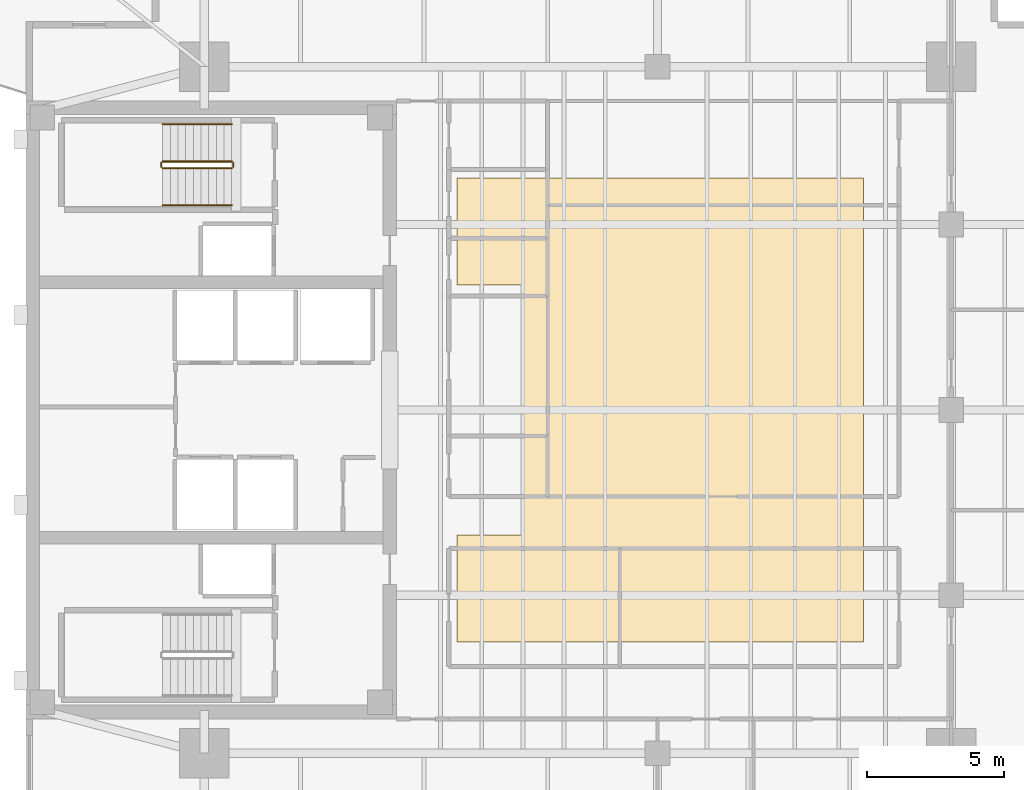
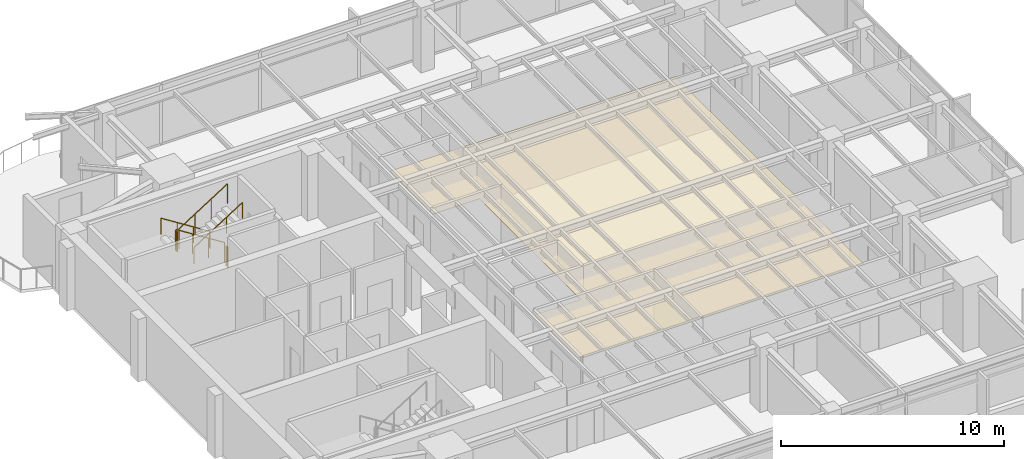
# One storey, part 13 of 14: 6 railings, 1 covering.
"""IFC4 building model written with IfcOpenShell, lengths in metres."""

from ifc_helpers import new_model, si_unit, direction, frame, origin, origin_2d, place, context, subcontext, project, spatial, polyline, circle, outline, extrude, material, layer, layer_set, type_object, element, save


model = new_model("IFC4")

# Units and contexts
model_context = context("Model", 3, precision=1e-05, world=origin(), true_north=direction((0.0, 1.0)))
body_context = subcontext(model_context, "Body", "Model", "MODEL_VIEW")
ifc_project = project(units=[si_unit("LENGTHUNIT", "METRE"), si_unit("AREAUNIT", "SQUARE_METRE"), si_unit("VOLUMEUNIT", "CUBIC_METRE"), si_unit("PLANEANGLEUNIT", "RADIAN"), si_unit("MASSUNIT", "GRAM", prefix="KILO")], contexts=[model_context])

# Site, building, storey
site_placement = place(None, origin())
site = spatial("IfcSite", under=ifc_project, at=site_placement, CompositionType="ELEMENT")
building_placement = place(site_placement, origin())
building = spatial("IfcBuilding", under=site, at=building_placement, Name="Kinhvarn Gate Tower", CompositionType="ELEMENT")
storey_placement = place(building_placement, frame((0.0, 0.0, 277.64990234375)))
storey = spatial("IfcBuildingStorey", under=building, at=storey_placement, Name="L74", CompositionType="ELEMENT", Elevation=277.64990234375)

# Covering
ifc_material_1 = material(Name="Mineral-fibre acoustic ceiling tile")
ifc_layer = layer(ifc_material_1, 0.02001953125)
ifc_layer_set = layer_set([ifc_layer], Name="Mineral-fibre acoustic ceiling tile")
covering_type = type_object("IfcCoveringType", Name="COV-CEIL-20", PredefinedType="CEILING", material=ifc_layer_set)
covering_placement = place(storey_placement, frame((0.0, 0.0, 2.650146484375)))
element("IfcCovering", 1, at=covering_placement, inside=storey, type_object=covering_type, Name="Suspended Acoustic Ceiling Tile (L74-1)", PredefinedType="CEILING", context=body_context, shape_type="SweptSolid", body=[
    extrude(outline(polyline([(35.0, 33.699951171875), (35.0, 16.800048828125), (20.199951171875, 16.800048828125), (20.199951171875, 20.699951171875), (22.60009765625, 20.699951171875), (22.60009765625, 29.800048828125), (20.199951171875, 29.800048828125), (20.199951171875, 33.699951171875), (35.0, 33.699951171875)])), origin(), (0.0, 0.0, 1.0), 0.02001953125),
])

# Railings
ifc_material_2 = material(Name="Steel S355", Category="steel")
railing_type_1 = type_object("IfcRailingType", Name="RL-ST-GRD", PredefinedType="BALUSTRADE", material=ifc_material_2)
railing_1_placement = place(storey_placement, frame((12.0, 34.300048828125, 0.177490234375)))
element("IfcRailing", 2, at=railing_1_placement, inside=storey, type_object=railing_type_1, Name="L74 ST2 stair guard 1", PredefinedType="BALUSTRADE", context=body_context, shape_type="SweptSolid", body=[
    extrude(circle(Radius=0.02392578125, at=origin_2d()), frame((0.0, 0.0, 1.076171875), z_axis=(-0.84456994832, 0.0, 0.535445237532), x_axis=(0.0, -1.0, 0.0)), (0.0, 0.0, 1.0), 2.98388671875),
    extrude(circle(Radius=0.02099609375, at=origin_2d()), origin(), (0.0, 0.0, 1.0), 1.052001953125),
    extrude(circle(Radius=0.02099609375, at=origin_2d()), frame((-0.840087890625, 0.0, 0.532470703125)), (0.0, 0.0, 1.0), 1.052001953125),
    extrude(circle(Radius=0.02099609375, at=origin_2d()), frame((-1.679931640625, 0.0, 1.065185546875)), (0.0, 0.0, 1.0), 1.052001953125),
    extrude(circle(Radius=0.02099609375, at=origin_2d()), frame((-2.52001953125, 0.0, 1.59765625)), (0.0, 0.0, 1.0), 1.052001953125),
])
railing_2_placement = place(storey_placement, frame((9.429931640625, 34.25, 1.775146484375)))
element("IfcRailing", 3, at=railing_2_placement, inside=storey, type_object=railing_type_1, Name="L74 ST2 stair guard 2", PredefinedType="BALUSTRADE", context=body_context, shape_type="SweptSolid", body=[
    extrude(circle(Radius=0.02392578125, at=origin_2d()), frame((0.0, 0.0, 1.076171875), z_axis=(0.0, -1.0, 0.0), x_axis=(1.0, 0.0, 0.0)), (0.0, 0.0, 1.0), 0.14990234375),
    extrude(circle(Radius=0.02099609375, at=origin_2d()), origin(), (0.0, 0.0, 1.0), 1.052001953125),
    extrude(circle(Radius=0.02099609375, at=origin_2d()), frame((0.0, -0.14990234375, 0.0)), (0.0, 0.0, 1.0), 1.052001953125),
])
railing_3_placement = place(storey_placement, frame((9.47998046875, 34.050048828125, 1.95263671875)))
element("IfcRailing", 4, at=railing_3_placement, inside=storey, type_object=railing_type_1, Name="L74 ST2 stair guard 3", PredefinedType="BALUSTRADE", context=body_context, shape_type="SweptSolid", body=[
    extrude(circle(Radius=0.02392578125, at=origin_2d()), frame((0.0, 0.0, 1.076171875), z_axis=(0.84460694969, 0.0, 0.535386869969), x_axis=(0.0, 1.0, 0.0)), (0.0, 0.0, 1.0), 2.983642578125),
    extrude(circle(Radius=0.02099609375, at=origin_2d()), origin(), (0.0, 0.0, 1.0), 1.052001953125),
    extrude(circle(Radius=0.02099609375, at=origin_2d()), frame((0.840087890625, 0.0, 0.532470703125)), (0.0, 0.0, 1.0), 1.052001953125),
    extrude(circle(Radius=0.02099609375, at=origin_2d()), frame((1.679931640625, 0.0, 1.06494140625)), (0.0, 0.0, 1.0), 1.052001953125),
    extrude(circle(Radius=0.02099609375, at=origin_2d()), frame((2.52001953125, 0.0, 1.597412109375)), (0.0, 0.0, 1.0), 1.052001953125),
])
railing_4_placement = place(storey_placement, frame((12.050048828125, 34.25, 0.0)))
element("IfcRailing", 5, at=railing_4_placement, inside=storey, type_object=railing_type_1, Name="L74 ST2 stair guard 4", PredefinedType="BALUSTRADE", context=body_context, shape_type="SweptSolid", body=[
    extrude(circle(Radius=0.02392578125, at=origin_2d()), frame((0.0, 0.0, 1.076171875), z_axis=(0.0, -1.0, 0.0), x_axis=(1.0, 0.0, 0.0)), (0.0, 0.0, 1.0), 0.14990234375),
    extrude(circle(Radius=0.02099609375, at=origin_2d()), origin(), (0.0, 0.0, 1.0), 1.052001953125),
    extrude(circle(Radius=0.02099609375, at=origin_2d()), frame((0.0, -0.14990234375, 0.0)), (0.0, 0.0, 1.0), 1.052001953125),
])
railing_type_2 = type_object("IfcRailingType", Name="RL-ST-HND", PredefinedType="HANDRAIL", material=ifc_material_2)
railing_5_placement = place(storey_placement, frame((12.0, 35.64990234375, 0.177490234375)))
element("IfcRailing", 6, at=railing_5_placement, inside=storey, type_object=railing_type_2, Name="L74 ST2 stair handrail 1", PredefinedType="HANDRAIL", context=body_context, shape_type="SweptSolid", body=[
    extrude(circle(Radius=0.02392578125, at=origin_2d()), frame((0.0, 0.0, 0.8759765625), z_axis=(-0.84456994832, 0.0, 0.535445237532), x_axis=(0.0, -1.0, 0.0)), (0.0, 0.0, 1.0), 2.98388671875),
    extrude(circle(Radius=0.02099609375, at=origin_2d()), origin(), (0.0, 0.0, 1.0), 0.851806640625),
    extrude(circle(Radius=0.02099609375, at=origin_2d()), frame((-0.840087890625, 0.0, 0.532470703125)), (0.0, 0.0, 1.0), 0.851806640625),
    extrude(circle(Radius=0.02099609375, at=origin_2d()), frame((-1.679931640625, 0.0, 1.065185546875)), (0.0, 0.0, 1.0), 0.851806640625),
    extrude(circle(Radius=0.02099609375, at=origin_2d()), frame((-2.52001953125, 0.0, 1.59765625)), (0.0, 0.0, 1.0), 0.851806640625),
])
railing_6_placement = place(storey_placement, frame((9.47998046875, 32.699951171875, 1.95263671875)))
element("IfcRailing", 7, at=railing_6_placement, inside=storey, type_object=railing_type_2, Name="L74 ST2 stair handrail 2", PredefinedType="HANDRAIL", context=body_context, shape_type="SweptSolid", body=[
    extrude(circle(Radius=0.02392578125, at=origin_2d()), frame((0.0, 0.0, 0.8759765625), z_axis=(0.84460694969, 0.0, 0.535386869969), x_axis=(0.0, 1.0, 0.0)), (0.0, 0.0, 1.0), 2.983642578125),
    extrude(circle(Radius=0.02099609375, at=origin_2d()), origin(), (0.0, 0.0, 1.0), 0.851806640625),
    extrude(circle(Radius=0.02099609375, at=origin_2d()), frame((0.840087890625, 0.0, 0.532470703125)), (0.0, 0.0, 1.0), 0.851806640625),
    extrude(circle(Radius=0.02099609375, at=origin_2d()), frame((1.679931640625, 0.0, 1.06494140625)), (0.0, 0.0, 1.0), 0.851806640625),
    extrude(circle(Radius=0.02099609375, at=origin_2d()), frame((2.52001953125, 0.0, 1.597412109375)), (0.0, 0.0, 1.0), 0.851806640625),
])

save(model, "model.ifc")
